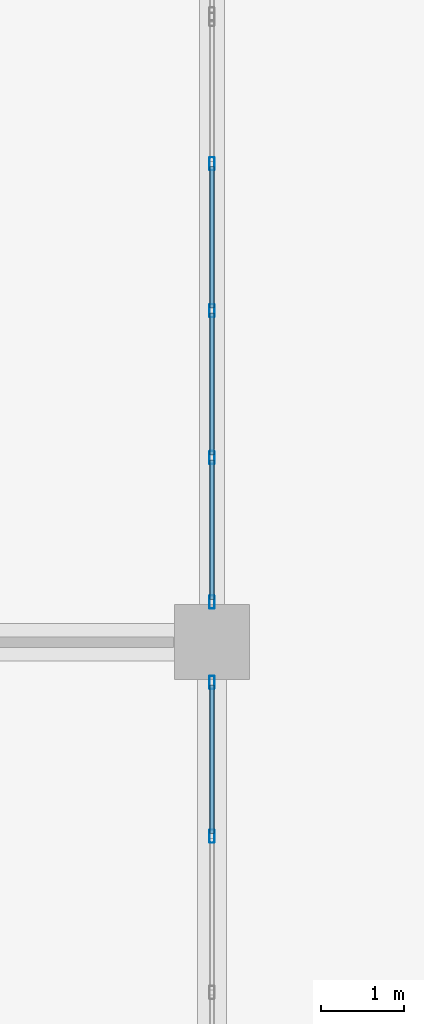
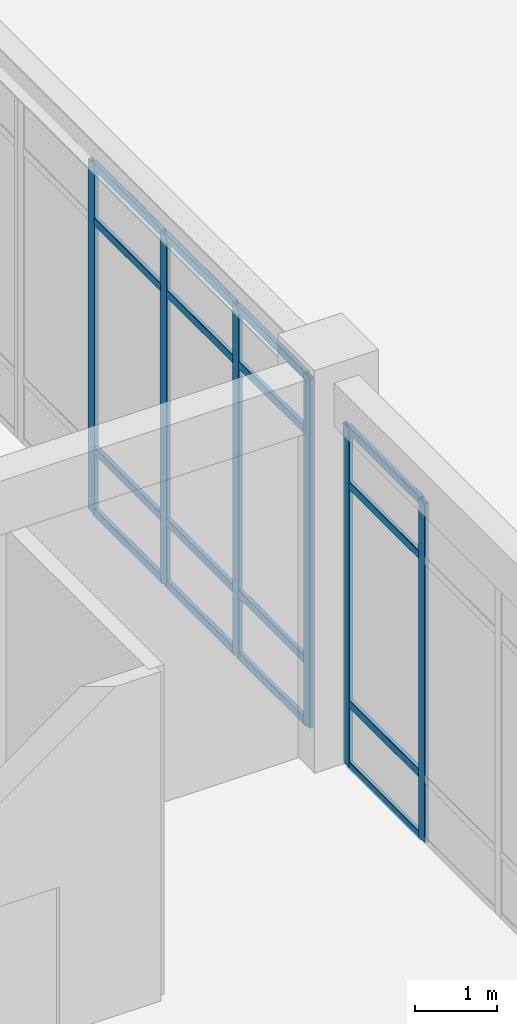
# One storey, part 38 of 82: 22 members, 2 elements without a shape of their own.
"""IFC4 building model written with IfcOpenShell, lengths in metres."""

import ifcopenshell
import ifcopenshell.guid

model = None  # the IFC model being written
_history = None  # IfcOwnerHistory: only IFC2X3 demands one
_inside = {}  # id of a spatial element -> (the spatial element, [elements in it])
_under = {}  # id of a project, library or spatial element -> (it, [spatial elements below it])
_declared = {}  # id of a project -> (the project, [libraries it declares])
_typed = {}  # id of a type object -> (the type object, [elements of that type])
_made_of = {}  # id of a material, layer set ... -> (it, [elements and type objects made of it])


def new_model(schema):
    """Start an empty IFC model of exactly this schema.

    Asked for "IFC4X3", IfcOpenShell would pick the latest addendum, in which some entities
    have other attributes; the version numbers below select the first issue.
    IFC2X3 requires an IfcOwnerHistory on every rooted entity: one is made here for all.
    """
    global model, _history
    if schema == "IFC4X3":
        model = ifcopenshell.file(schema_version=(4, 3, 0, 0))
    else:
        model = ifcopenshell.file(schema=schema)
    _inside.clear()
    _under.clear()
    _declared.clear()
    _typed.clear()
    _made_of.clear()
    _history = None
    if model.schema == "IFC2X3":
        org = make("IfcOrganization", Name="unknown")
        user = make(
            "IfcPersonAndOrganization",
            ThePerson=make("IfcPerson", FamilyName="unknown"),
            TheOrganization=org,
        )
        app = make(
            "IfcApplication",
            ApplicationDeveloper=org,
            Version="unknown",
            ApplicationFullName="unknown",
            ApplicationIdentifier="unknown",
        )
        _history = make(
            "IfcOwnerHistory",
            OwningUser=user,
            OwningApplication=app,
            ChangeAction="ADDED",
            CreationDate=0,
        )
    return model


def make(cls, **values):
    """One entity of the class cls with the attributes given. An attribute that is None is left unset."""
    return model.create_entity(
        cls, **{name: value for name, value in values.items() if value is not None}
    )


def rooted(cls, **values):
    """An entity with a GlobalId (a new one), such as an element, a storey or a relation."""
    return make(cls, GlobalId=ifcopenshell.guid.new(), OwnerHistory=_history, **values)


def si_unit(unit_type, name, prefix=None):
    """IfcSIUnit, for example si_unit("LENGTHUNIT", "METRE", prefix="MILLI")."""
    return make("IfcSIUnit", UnitType=unit_type, Prefix=prefix, Name=name)


def derived_unit(unit_type, elements):
    """IfcDerivedUnit: a product of units, each with its exponent."""
    return make(
        "IfcDerivedUnit",
        Elements=[
            make("IfcDerivedUnitElement", Unit=unit, Exponent=power)
            for unit, power in elements
        ],
        UnitType=unit_type,
    )


def assignment(units):
    """IfcUnitAssignment: the units of a project."""
    return None if units is None else make("IfcUnitAssignment", Units=units)


def point(xyz):
    """IfcCartesianPoint."""
    return None if xyz is None else make("IfcCartesianPoint", Coordinates=xyz)


def direction(xyz):
    """IfcDirection."""
    return None if xyz is None else make("IfcDirection", DirectionRatios=xyz)


def frame(location, z_axis=None, x_axis=None):
    """IfcAxis2Placement3D, a coordinate frame: its origin and axes. An axis left out is left unset."""
    return make(
        "IfcAxis2Placement3D",
        Location=point(location),
        Axis=direction(z_axis),
        RefDirection=direction(x_axis),
    )


def frame_2d(location, x_axis=None):
    """IfcAxis2Placement2D, a coordinate frame in the plane: its origin and x axis."""
    return make(
        "IfcAxis2Placement2D", Location=point(location), RefDirection=direction(x_axis)
    )


def origin():
    """The frame at (0, 0, 0) with its axes left unset."""
    return frame((0.0, 0.0, 0.0))


def origin_2d():
    """The frame at (0, 0) in the plane with its x axis left unset."""
    return frame_2d((0.0, 0.0))


def place(relative_to, where):
    """IfcLocalPlacement: puts the frame where relative to a parent placement (None: the world)."""
    return make(
        "IfcLocalPlacement", PlacementRelTo=relative_to, RelativePlacement=where
    )


def context(
    kind, dimensions, precision=None, world=None, true_north=None, identifier=None
):
    """IfcGeometricRepresentationContext, for example the 3D "Model" context."""
    return make(
        "IfcGeometricRepresentationContext",
        ContextIdentifier=identifier,
        ContextType=kind,
        CoordinateSpaceDimension=dimensions,
        Precision=precision,
        WorldCoordinateSystem=world,
        TrueNorth=true_north,
    )


def subcontext(parent, identifier, kind, view, scale=None):
    """IfcGeometricRepresentationSubContext, for example "Body" below "Model"."""
    return make(
        "IfcGeometricRepresentationSubContext",
        ContextIdentifier=identifier,
        ContextType=kind,
        ParentContext=parent,
        TargetScale=scale,
        TargetView=view,
    )


def project(units=None, contexts=None):
    """IfcProject with its units and contexts."""
    return rooted(
        "IfcProject",
        Name="project",
        RepresentationContexts=contexts,
        UnitsInContext=assignment(units),
    )


def spatial(cls, under=None, at=None, **own):
    """A site, building, storey or space (cls), placed at a placement, below another one or the project."""
    s = rooted(cls, ObjectPlacement=at, **own)
    if under is not None:
        _under.setdefault(under.id(), (under, []))[1].append(s)
    return s


def profile(cls, at=None, kind="AREA", **sizes):
    """A parametric profile (cls). Its sizes go by their IFC names, for example OverallWidth=200.0."""
    return make(cls, ProfileType=kind, Position=at, **sizes)


def hollow_rectangle(**sizes):
    """IfcRectangleHollowProfileDef."""
    return profile("IfcRectangleHollowProfileDef", **sizes)


def extrude(swept, where, along, depth):
    """IfcExtrudedAreaSolid: the profile swept, set in the frame where, extruded along a direction by depth."""
    return make(
        "IfcExtrudedAreaSolid",
        SweptArea=swept,
        Position=where,
        ExtrudedDirection=direction(along),
        Depth=depth,
    )


def shape(context_of_items, identifier, shape_type, items):
    """IfcShapeRepresentation: the items that make up one representation, for example the "Body"."""
    return make(
        "IfcShapeRepresentation",
        ContextOfItems=context_of_items,
        RepresentationIdentifier=identifier,
        RepresentationType=shape_type,
        Items=items,
    )


def material(Name=None, Category=None):
    """IfcMaterial."""
    return make("IfcMaterial", Name=Name, Category=Category)


def layer(
    of_material, thickness, ventilated=None, Name=None, Category=None, Priority=None
):
    """IfcMaterialLayer: one layer of a wall or slab, of a material (None: an air gap)."""
    return make(
        "IfcMaterialLayer",
        Material=of_material,
        LayerThickness=thickness,
        IsVentilated=ventilated,
        Name=Name,
        Category=Category,
        Priority=Priority,
    )


def layer_set(layers, Name=None):
    """IfcMaterialLayerSet."""
    return make("IfcMaterialLayerSet", MaterialLayers=layers, LayerSetName=Name)


def material_profile(
    of_material, cross_section, Name=None, Category=None, Priority=None
):
    """IfcMaterialProfile: a cross section and its material."""
    return make(
        "IfcMaterialProfile",
        Name=Name,
        Material=of_material,
        Profile=cross_section,
        Priority=Priority,
        Category=Category,
    )


def profile_set(profiles, Name=None, composite=None):
    """IfcMaterialProfileSet."""
    return make(
        "IfcMaterialProfileSet",
        Name=Name,
        MaterialProfiles=profiles,
        CompositeProfile=composite,
    )


def made_of(thing, what):
    """Note that an element or type object is made of a material, layer set ...; save() writes the relation."""
    if what is not None:
        _made_of.setdefault(what.id(), (what, []))[1].append(thing)
    return thing


def type_object(cls, material=None, **own):
    """A type object (cls), such as IfcWallType, which elements share."""
    return made_of(rooted(cls, **own), material)


def element(
    cls,
    number,
    at=None,
    inside=None,
    cuts=None,
    type_object=None,
    material=None,
    context=None,
    identifier="Body",
    shape_type=None,
    held_by="IfcProductDefinitionShape",
    body=None,
    shapes=None,
    **own,
):
    """One element of the class cls, such as IfcWall. Its Tag is "e" and its number.

    at: its placement. inside: the storey or other place that contains it. cuts: it is an
    opening in that element (IfcRelVoidsElement). A single representation is given by context,
    identifier, shape_type and body (its items); several are given by shapes. held_by: the class
    of the entity that holds the representations. save() writes the other relations.
    """
    e = rooted(cls, Tag="e%d" % number, ObjectPlacement=at, **own)
    if body is not None:
        shapes = [shape(context, identifier, shape_type, body)]
    if shapes is not None:
        e.Representation = make(held_by, Representations=shapes)
    if inside is not None:
        _inside.setdefault(inside.id(), (inside, []))[1].append(e)
    if cuts is not None:
        rooted(
            "IfcRelVoidsElement", RelatingBuildingElement=cuts, RelatedOpeningElement=e
        )
    if type_object is not None:
        _typed.setdefault(type_object.id(), (type_object, []))[1].append(e)
    return made_of(e, material)


def aggregate(whole, parts):
    """IfcRelAggregates: a whole, such as a stair, and the parts it consists of."""
    return rooted("IfcRelAggregates", RelatingObject=whole, RelatedObjects=parts)


def save(model, path):
    """Write the relations noted so far, then the file.

    IfcRelAggregates (storeys below a building ...), IfcRelContainedInSpatialStructure (elements
    in a storey), IfcRelDefinesByType, IfcRelAssociatesMaterial and IfcRelDeclares: one each for
    every whole, place, type object, material and project.
    """
    for whole, parts in _under.values():
        aggregate(whole, parts)
    for where, things in _inside.values():
        rooted(
            "IfcRelContainedInSpatialStructure",
            RelatedElements=things,
            RelatingStructure=where,
        )
    for kind, things in _typed.values():
        rooted("IfcRelDefinesByType", RelatedObjects=things, RelatingType=kind)
    for what, things in _made_of.values():
        rooted("IfcRelAssociatesMaterial", RelatedObjects=things, RelatingMaterial=what)
    for by, libraries in _declared.values():
        rooted("IfcRelDeclares", RelatingContext=by, RelatedDefinitions=libraries)
    model.write(path)


model = new_model("IFC4")

# Units and contexts
model_context = context("Model", 3, precision=1e-05, world=origin(), true_north=direction((0.0, 1.0)))
body_context = subcontext(model_context, "Body", "Model", "MODEL_VIEW")
ifc_project = project(units=[si_unit("LENGTHUNIT", "METRE"), si_unit("AREAUNIT", "SQUARE_METRE"), si_unit("VOLUMEUNIT", "CUBIC_METRE"), si_unit("PLANEANGLEUNIT", "RADIAN"), si_unit("MASSUNIT", "GRAM", prefix="KILO"), derived_unit("THERMALTRANSMITTANCEUNIT", [(si_unit("MASSUNIT", "GRAM", prefix="KILO"), 1), (si_unit("TIMEUNIT", "SECOND"), -3), (si_unit("THERMODYNAMICTEMPERATUREUNIT", "KELVIN"), -1)])], contexts=[model_context])

# Site, building, storey
site_placement = place(None, origin())
site = spatial("IfcSite", under=ifc_project, at=site_placement, CompositionType="ELEMENT")
building_placement = place(site_placement, origin())
building = spatial("IfcBuilding", under=site, at=building_placement, Name="Qinzheling Arcade Emporium", CompositionType="ELEMENT")
storey_placement = place(building_placement, origin())
storey = spatial("IfcBuildingStorey", under=building, at=storey_placement, Name="L01", CompositionType="ELEMENT", Elevation=0.0)

# Curtain wall, members
ifc_material_1 = material(Name="Anodised aluminium and solar-control double glazing", Category="aluminium")
ifc_layer = layer(ifc_material_1, 0.159912109375, Name="Anodised aluminium and solar-control double glazing", Category="aluminium")
ifc_layer_set = layer_set([ifc_layer], Name="Anodised aluminium and solar-control double glazing")
curtain_wall_type = type_object("IfcCurtainWallType", Name="Street Arcade Stick Curtain Wall", PredefinedType="NOTDEFINED", material=ifc_layer_set)
curtain_wall_1_placement = place(storey_placement, origin())
curtain_wall_1 = element("IfcCurtainWall", 1, at=curtain_wall_1_placement, inside=storey, type_object=curtain_wall_type, Name="Curtain Wall CW-L01-045", PredefinedType="NOTDEFINED")
ifc_material_2 = material(Name="Anodised aluminium 6063-T6", Category="aluminium")
ifc_material_profile_1 = material_profile(ifc_material_2, hollow_rectangle(XDim=0.06005859375, YDim=0.159912109375, WallThickness=0.00390625, InnerFilletRadius=0.00390625, OuterFilletRadius=0.008056640625, at=origin_2d()), Name="RHS 160x60x4", Category="aluminium")
ifc_profile_set_1 = profile_set([ifc_material_profile_1], Name="Anodised aluminium 6063-T6")
member_type_1 = type_object("IfcMemberType", Name="Curtain Wall Mullion RHS160x60", PredefinedType="MULLION", material=ifc_profile_set_1)
member_1_placement = place(storey_placement, frame((130.5, 56.136474609375, 0.0), z_axis=(0.0, 0.0, 1.0), x_axis=(1.0, 0.0, 0.0)))
member_1 = element("IfcMember", 2, at=member_1_placement, type_object=member_type_1, Name="CW01 mullion 2", PredefinedType="MULLION", context=body_context, shape_type="SweptSolid", body=[
    extrude(hollow_rectangle(XDim=0.06005859375, YDim=0.159912109375, WallThickness=0.00390625, InnerFilletRadius=0.00390625, OuterFilletRadius=0.008056640625, at=origin_2d()), origin(), (0.0, 0.0, 1.0), 5.217041015625),
])
member_2_placement = place(storey_placement, frame((130.5, 54.375, 0.0), z_axis=(0.0, 0.0, 1.0), x_axis=(1.0, 0.0, 0.0)))
member_2 = element("IfcMember", 3, at=member_2_placement, type_object=member_type_1, Name="CW01 mullion 3", PredefinedType="MULLION", context=body_context, shape_type="SweptSolid", body=[
    extrude(hollow_rectangle(XDim=0.06005859375, YDim=0.159912109375, WallThickness=0.00390625, InnerFilletRadius=0.00390625, OuterFilletRadius=0.008056640625, at=origin_2d()), origin(), (0.0, 0.0, 1.0), 5.217041015625),
])
member_3_placement = place(storey_placement, frame((130.5, 52.613525390625, 0.0), z_axis=(0.0, 0.0, 1.0), x_axis=(1.0, 0.0, 0.0)))
member_3 = element("IfcMember", 4, at=member_3_placement, type_object=member_type_1, Name="CW01 mullion 4", PredefinedType="MULLION", context=body_context, shape_type="SweptSolid", body=[
    extrude(hollow_rectangle(XDim=0.06005859375, YDim=0.159912109375, WallThickness=0.00390625, InnerFilletRadius=0.00390625, OuterFilletRadius=0.008056640625, at=origin_2d()), origin(), (0.0, 0.0, 1.0), 5.217041015625),
])
member_4_placement = place(storey_placement, frame((130.5, 50.882080078125, 0.0), z_axis=(0.0, 0.0, 1.0), x_axis=(1.0, 0.0, 0.0)))
member_4 = element("IfcMember", 5, at=member_4_placement, type_object=member_type_1, Name="CW01 mullion 5", PredefinedType="MULLION", context=body_context, shape_type="SweptSolid", body=[
    extrude(hollow_rectangle(XDim=0.06005859375, YDim=0.159912109375, WallThickness=0.00390625, InnerFilletRadius=0.00390625, OuterFilletRadius=0.008056640625, at=origin_2d()), origin(), (0.0, 0.0, 1.0), 5.217041015625),
])

curtain_wall_2_placement = place(storey_placement, origin())
curtain_wall_2 = element("IfcCurtainWall", 6, at=curtain_wall_2_placement, inside=storey, type_object=curtain_wall_type, Name="Curtain Wall CW-L01-046", PredefinedType="NOTDEFINED")
member_5_placement = place(storey_placement, frame((130.5, 49.91796875, 0.0), z_axis=(0.0, 0.0, 1.0), x_axis=(1.0, 0.0, 0.0)))
member_5 = element("IfcMember", 7, at=member_5_placement, type_object=member_type_1, Name="CW01 mullion 1", PredefinedType="MULLION", context=body_context, shape_type="SweptSolid", body=[
    extrude(hollow_rectangle(XDim=0.06005859375, YDim=0.159912109375, WallThickness=0.00390625, InnerFilletRadius=0.00390625, OuterFilletRadius=0.008056640625, at=origin_2d()), origin(), (0.0, 0.0, 1.0), 5.054931640625),
])
member_6_placement = place(storey_placement, frame((130.5, 48.073974609375, 0.0), z_axis=(0.0, 0.0, 1.0), x_axis=(1.0, 0.0, 0.0)))
member_6 = element("IfcMember", 8, at=member_6_placement, type_object=member_type_1, Name="CW01 mullion 2", PredefinedType="MULLION", context=body_context, shape_type="SweptSolid", body=[
    extrude(hollow_rectangle(XDim=0.06005859375, YDim=0.159912109375, WallThickness=0.00390625, InnerFilletRadius=0.00390625, OuterFilletRadius=0.008056640625, at=origin_2d()), origin(), (0.0, 0.0, 1.0), 5.054931640625),
])

# Member
ifc_material_profile_2 = material_profile(ifc_material_2, hollow_rectangle(XDim=0.06005859375, YDim=0.1201171875, WallThickness=0.00390625, InnerFilletRadius=0.00390625, OuterFilletRadius=0.008056640625, at=origin_2d()), Name="RHS 120x60x4", Category="aluminium")
ifc_profile_set_2 = profile_set([ifc_material_profile_2], Name="Anodised aluminium 6063-T6")
member_type_2 = type_object("IfcMemberType", Name="Curtain Wall Transom RHS120x60", PredefinedType="USERDEFINED", material=ifc_profile_set_2)
member_7_placement = place(storey_placement, frame((130.5, 56.1064453125, 0.030029296875), z_axis=(0.0, -1.0, 0.0), x_axis=(1.0, 0.0, 0.0)))
member_7 = element("IfcMember", 9, at=member_7_placement, type_object=member_type_2, Name="CW01 transom 2.1", ObjectType="TRANSOM", PredefinedType="USERDEFINED", context=body_context, shape_type="SweptSolid", body=[
    extrude(hollow_rectangle(XDim=0.06005859375, YDim=0.1201171875, WallThickness=0.00390625, InnerFilletRadius=0.00390625, OuterFilletRadius=0.008056640625, at=origin_2d()), origin(), (0.0, 0.0, 1.0), 1.701416015625),
])

member_8_placement = place(storey_placement, frame((130.5, 56.1064453125, 0.949951171875), z_axis=(0.0, -1.0, 0.0), x_axis=(1.0, 0.0, 0.0)))
member_8 = element("IfcMember", 10, at=member_8_placement, type_object=member_type_2, Name="CW01 transom 2.2", ObjectType="TRANSOM", PredefinedType="USERDEFINED", context=body_context, shape_type="SweptSolid", body=[
    extrude(hollow_rectangle(XDim=0.06005859375, YDim=0.1201171875, WallThickness=0.00390625, InnerFilletRadius=0.00390625, OuterFilletRadius=0.008056640625, at=origin_2d()), origin(), (0.0, 0.0, 1.0), 1.701416015625),
])

member_9_placement = place(storey_placement, frame((130.5, 56.1064453125, 4.366943359375), z_axis=(0.0, -1.0, 0.0), x_axis=(1.0, 0.0, 0.0)))
member_9 = element("IfcMember", 11, at=member_9_placement, type_object=member_type_2, Name="CW01 transom 2.3", ObjectType="TRANSOM", PredefinedType="USERDEFINED", context=body_context, shape_type="SweptSolid", body=[
    extrude(hollow_rectangle(XDim=0.06005859375, YDim=0.1201171875, WallThickness=0.00390625, InnerFilletRadius=0.00390625, OuterFilletRadius=0.008056640625, at=origin_2d()), origin(), (0.0, 0.0, 1.0), 1.701416015625),
])

member_10_placement = place(storey_placement, frame((130.5, 56.1064453125, 5.18701171875), z_axis=(0.0, -1.0, 0.0), x_axis=(1.0, 0.0, 0.0)))
member_10 = element("IfcMember", 12, at=member_10_placement, type_object=member_type_2, Name="CW01 transom 2.4", ObjectType="TRANSOM", PredefinedType="USERDEFINED", context=body_context, shape_type="SweptSolid", body=[
    extrude(hollow_rectangle(XDim=0.06005859375, YDim=0.1201171875, WallThickness=0.00390625, InnerFilletRadius=0.00390625, OuterFilletRadius=0.008056640625, at=origin_2d()), origin(), (0.0, 0.0, 1.0), 1.701416015625),
])

member_11_placement = place(storey_placement, frame((130.5, 54.344970703125, 0.030029296875), z_axis=(0.0, -1.0, 0.0), x_axis=(1.0, 0.0, 0.0)))
member_11 = element("IfcMember", 13, at=member_11_placement, type_object=member_type_2, Name="CW01 transom 3.1", ObjectType="TRANSOM", PredefinedType="USERDEFINED", context=body_context, shape_type="SweptSolid", body=[
    extrude(hollow_rectangle(XDim=0.06005859375, YDim=0.1201171875, WallThickness=0.00390625, InnerFilletRadius=0.00390625, OuterFilletRadius=0.008056640625, at=origin_2d()), origin(), (0.0, 0.0, 1.0), 1.701416015625),
])

member_12_placement = place(storey_placement, frame((130.5, 54.344970703125, 0.949951171875), z_axis=(0.0, -1.0, 0.0), x_axis=(1.0, 0.0, 0.0)))
member_12 = element("IfcMember", 14, at=member_12_placement, type_object=member_type_2, Name="CW01 transom 3.2", ObjectType="TRANSOM", PredefinedType="USERDEFINED", context=body_context, shape_type="SweptSolid", body=[
    extrude(hollow_rectangle(XDim=0.06005859375, YDim=0.1201171875, WallThickness=0.00390625, InnerFilletRadius=0.00390625, OuterFilletRadius=0.008056640625, at=origin_2d()), origin(), (0.0, 0.0, 1.0), 1.701416015625),
])

member_13_placement = place(storey_placement, frame((130.5, 54.344970703125, 4.366943359375), z_axis=(0.0, -1.0, 0.0), x_axis=(1.0, 0.0, 0.0)))
member_13 = element("IfcMember", 15, at=member_13_placement, type_object=member_type_2, Name="CW01 transom 3.3", ObjectType="TRANSOM", PredefinedType="USERDEFINED", context=body_context, shape_type="SweptSolid", body=[
    extrude(hollow_rectangle(XDim=0.06005859375, YDim=0.1201171875, WallThickness=0.00390625, InnerFilletRadius=0.00390625, OuterFilletRadius=0.008056640625, at=origin_2d()), origin(), (0.0, 0.0, 1.0), 1.701416015625),
])

member_14_placement = place(storey_placement, frame((130.5, 54.344970703125, 5.18701171875), z_axis=(0.0, -1.0, 0.0), x_axis=(1.0, 0.0, 0.0)))
member_14 = element("IfcMember", 16, at=member_14_placement, type_object=member_type_2, Name="CW01 transom 3.4", ObjectType="TRANSOM", PredefinedType="USERDEFINED", context=body_context, shape_type="SweptSolid", body=[
    extrude(hollow_rectangle(XDim=0.06005859375, YDim=0.1201171875, WallThickness=0.00390625, InnerFilletRadius=0.00390625, OuterFilletRadius=0.008056640625, at=origin_2d()), origin(), (0.0, 0.0, 1.0), 1.701416015625),
])

member_15_placement = place(storey_placement, frame((130.5, 52.58349609375, 0.030029296875), z_axis=(0.0, -1.0, 0.0), x_axis=(1.0, 0.0, 0.0)))
member_15 = element("IfcMember", 17, at=member_15_placement, type_object=member_type_2, Name="CW01 transom 4.1", ObjectType="TRANSOM", PredefinedType="USERDEFINED", context=body_context, shape_type="SweptSolid", body=[
    extrude(hollow_rectangle(XDim=0.06005859375, YDim=0.1201171875, WallThickness=0.00390625, InnerFilletRadius=0.00390625, OuterFilletRadius=0.008056640625, at=origin_2d()), origin(), (0.0, 0.0, 1.0), 1.67138671875),
])

member_16_placement = place(storey_placement, frame((130.5, 52.58349609375, 0.949951171875), z_axis=(0.0, -1.0, 0.0), x_axis=(1.0, 0.0, 0.0)))
member_16 = element("IfcMember", 18, at=member_16_placement, type_object=member_type_2, Name="CW01 transom 4.2", ObjectType="TRANSOM", PredefinedType="USERDEFINED", context=body_context, shape_type="SweptSolid", body=[
    extrude(hollow_rectangle(XDim=0.06005859375, YDim=0.1201171875, WallThickness=0.00390625, InnerFilletRadius=0.00390625, OuterFilletRadius=0.008056640625, at=origin_2d()), origin(), (0.0, 0.0, 1.0), 1.67138671875),
])

member_17_placement = place(storey_placement, frame((130.5, 52.58349609375, 4.366943359375), z_axis=(0.0, -1.0, 0.0), x_axis=(1.0, 0.0, 0.0)))
member_17 = element("IfcMember", 19, at=member_17_placement, type_object=member_type_2, Name="CW01 transom 4.3", ObjectType="TRANSOM", PredefinedType="USERDEFINED", context=body_context, shape_type="SweptSolid", body=[
    extrude(hollow_rectangle(XDim=0.06005859375, YDim=0.1201171875, WallThickness=0.00390625, InnerFilletRadius=0.00390625, OuterFilletRadius=0.008056640625, at=origin_2d()), origin(), (0.0, 0.0, 1.0), 1.67138671875),
])

member_18_placement = place(storey_placement, frame((130.5, 52.58349609375, 5.18701171875), z_axis=(0.0, -1.0, 0.0), x_axis=(1.0, 0.0, 0.0)))
member_18 = element("IfcMember", 20, at=member_18_placement, type_object=member_type_2, Name="CW01 transom 4.4", ObjectType="TRANSOM", PredefinedType="USERDEFINED", context=body_context, shape_type="SweptSolid", body=[
    extrude(hollow_rectangle(XDim=0.06005859375, YDim=0.1201171875, WallThickness=0.00390625, InnerFilletRadius=0.00390625, OuterFilletRadius=0.008056640625, at=origin_2d()), origin(), (0.0, 0.0, 1.0), 1.67138671875),
])

aggregate(curtain_wall_1, [member_1, member_2, member_3, member_4, member_7, member_8, member_9, member_10, member_11, member_12, member_13, member_14, member_15, member_16, member_17, member_18])

member_19_placement = place(storey_placement, frame((130.5, 49.887939453125, 0.030029296875), z_axis=(0.0, -1.0, 0.0), x_axis=(1.0, 0.0, 0.0)))
member_19 = element("IfcMember", 21, at=member_19_placement, type_object=member_type_2, Name="CW01 transom 1.1", ObjectType="TRANSOM", PredefinedType="USERDEFINED", context=body_context, shape_type="SweptSolid", body=[
    extrude(hollow_rectangle(XDim=0.06005859375, YDim=0.1201171875, WallThickness=0.00390625, InnerFilletRadius=0.00390625, OuterFilletRadius=0.008056640625, at=origin_2d()), origin(), (0.0, 0.0, 1.0), 1.783935546875),
])

member_20_placement = place(storey_placement, frame((130.5, 49.887939453125, 0.949951171875), z_axis=(0.0, -1.0, 0.0), x_axis=(1.0, 0.0, 0.0)))
member_20 = element("IfcMember", 22, at=member_20_placement, type_object=member_type_2, Name="CW01 transom 1.2", ObjectType="TRANSOM", PredefinedType="USERDEFINED", context=body_context, shape_type="SweptSolid", body=[
    extrude(hollow_rectangle(XDim=0.06005859375, YDim=0.1201171875, WallThickness=0.00390625, InnerFilletRadius=0.00390625, OuterFilletRadius=0.008056640625, at=origin_2d()), origin(), (0.0, 0.0, 1.0), 1.783935546875),
])

member_21_placement = place(storey_placement, frame((130.5, 49.887939453125, 4.205078125), z_axis=(0.0, -1.0, 0.0), x_axis=(1.0, 0.0, 0.0)))
member_21 = element("IfcMember", 23, at=member_21_placement, type_object=member_type_2, Name="CW01 transom 1.3", ObjectType="TRANSOM", PredefinedType="USERDEFINED", context=body_context, shape_type="SweptSolid", body=[
    extrude(hollow_rectangle(XDim=0.06005859375, YDim=0.1201171875, WallThickness=0.00390625, InnerFilletRadius=0.00390625, OuterFilletRadius=0.008056640625, at=origin_2d()), origin(), (0.0, 0.0, 1.0), 1.783935546875),
])

member_22_placement = place(storey_placement, frame((130.5, 49.887939453125, 5.02490234375), z_axis=(0.0, -1.0, 0.0), x_axis=(1.0, 0.0, 0.0)))
member_22 = element("IfcMember", 24, at=member_22_placement, type_object=member_type_2, Name="CW01 transom 1.4", ObjectType="TRANSOM", PredefinedType="USERDEFINED", context=body_context, shape_type="SweptSolid", body=[
    extrude(hollow_rectangle(XDim=0.06005859375, YDim=0.1201171875, WallThickness=0.00390625, InnerFilletRadius=0.00390625, OuterFilletRadius=0.008056640625, at=origin_2d()), origin(), (0.0, 0.0, 1.0), 1.783935546875),
])

aggregate(curtain_wall_2, [member_5, member_6, member_19, member_20, member_21, member_22])

save(model, "model.ifc")
